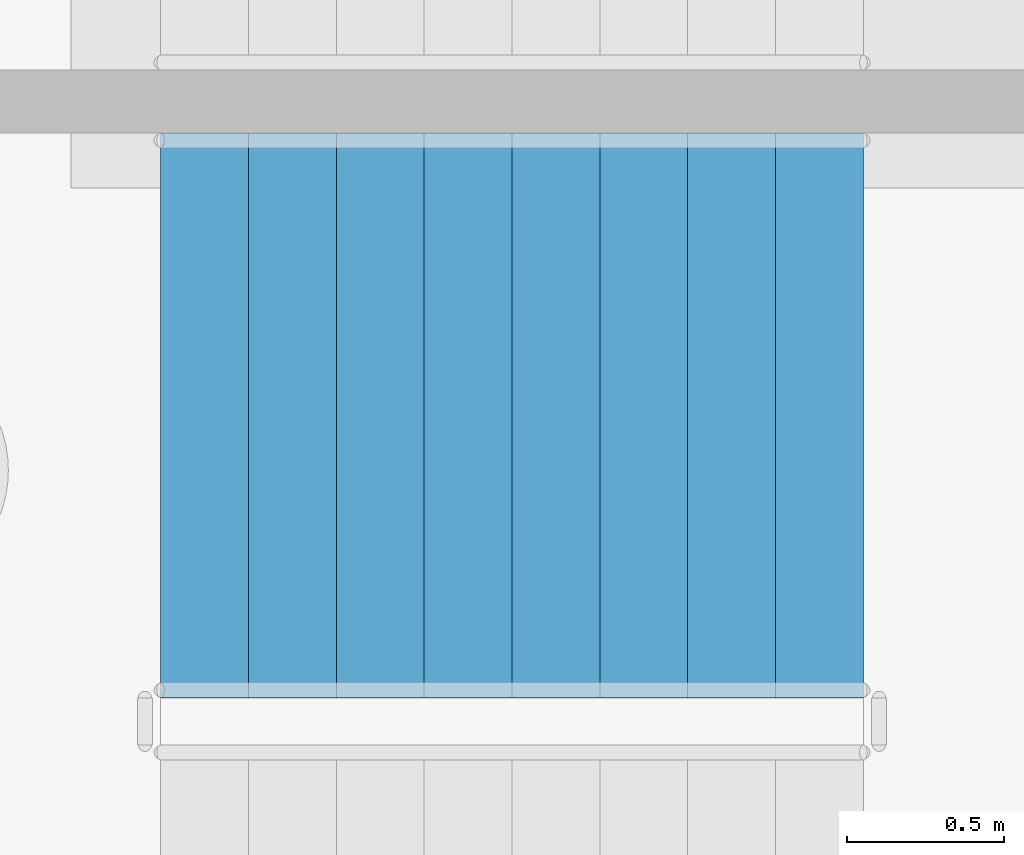
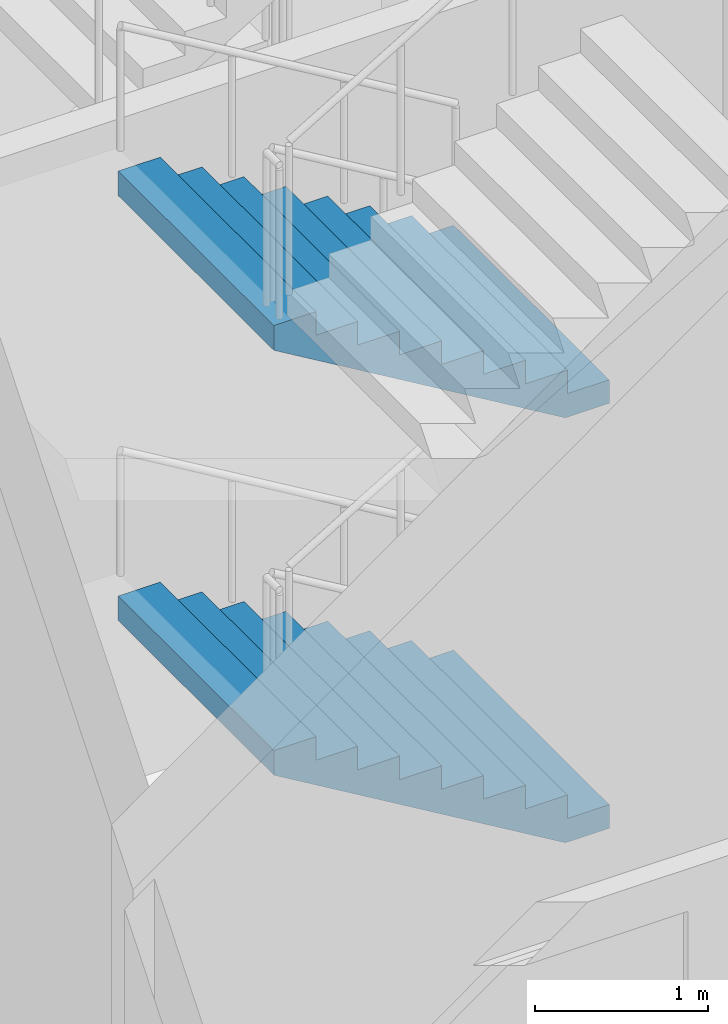
# One storey, part 16 of 39: 2 stair flights, 1 element without a shape of its own.
"""IFC4 building model written with IfcOpenShell, lengths in metres."""

from ifc_helpers import new_model, si_unit, direction, frame, origin, place, context, subcontext, project, spatial, triangles, material, type_object, element, aggregate, save


model = new_model("IFC4")

# Units and contexts
model_context = context("Model", 3, precision=1e-05, world=origin(), true_north=direction((0.0, 1.0)))
body_context = subcontext(model_context, "Body", "Model", "MODEL_VIEW")
ifc_project = project(units=[si_unit("LENGTHUNIT", "METRE"), si_unit("AREAUNIT", "SQUARE_METRE"), si_unit("VOLUMEUNIT", "CUBIC_METRE"), si_unit("PLANEANGLEUNIT", "RADIAN"), si_unit("MASSUNIT", "GRAM", prefix="KILO")], contexts=[model_context])

# Site, building, storey
site_placement = place(None, origin())
site = spatial("IfcSite", under=ifc_project, at=site_placement, CompositionType="ELEMENT")
building_placement = place(site_placement, origin())
building = spatial("IfcBuilding", under=site, at=building_placement, Name="Magnolia Steps Interchange", CompositionType="ELEMENT")
storey_placement = place(building_placement, frame((0.0, 0.0, -11.39990234375)))
storey = spatial("IfcBuildingStorey", under=building, at=storey_placement, Name="B2", CompositionType="ELEMENT", Elevation=-11.39990234375)

# Stair, stair flights
ifc_material_1 = material(Name="Concrete C40", Category="concrete")
stair_type = type_object("IfcStairType", Name="Exit stair 1800", PredefinedType="HALF_TURN_STAIR", material=ifc_material_1)
stair_placement = place(storey_placement, origin())
stair = element("IfcStair", 1, at=stair_placement, inside=storey, type_object=stair_type, Name="B2 Stair 9", PredefinedType="HALF_TURN_STAIR")
ifc_material_2 = material(Name="Concrete C40", Category="concrete")
stair_flight_type = type_object("IfcStairFlightType", Name="Exit stair flight", PredefinedType="STRAIGHT", material=ifc_material_2)
stair_flight_1_placement = place(storey_placement, frame((57.52490234375, 62.97509765625, 0.0), z_axis=(0.0, 0.0, 1.0), x_axis=(-1.0, 0.0, 0.0)))
stair_flight_1 = element("IfcStairFlight", 2, at=stair_flight_1_placement, type_object=stair_flight_type, Name="Stair 9 flight 1", NumberOfRisers=9, NumberOfTreads=8, PredefinedType="STRAIGHT", RiserHeight=0.166666667, TreadLength=0.28, context=body_context, shape_type="Tessellation", body=[
    triangles([(0.0, -0.9000244140625, 0.0), (0.29296875, -0.9000244140625, 0.0), (2.239990234375, -0.9000244140625, 1.158935546875), (2.239990234375, -0.9000244140625, 1.333251953125), (1.9599609375, -0.9000244140625, 1.333251953125), (1.9599609375, -0.9000244140625, 1.166748046875), (1.679931640625, -0.9000244140625, 1.166748046875), (1.679931640625, -0.9000244140625, 1.0), (1.39990234375, -0.9000244140625, 1.0), (1.39990234375, -0.9000244140625, 0.833251953125), (1.1201171875, -0.9000244140625, 0.833251953125), (1.1201171875, -0.9000244140625, 0.666748046875), (0.840087890625, -0.9000244140625, 0.666748046875), (0.840087890625, -0.9000244140625, 0.5), (0.56005859375, -0.9000244140625, 0.5), (0.56005859375, -0.9000244140625, 0.333251953125), (0.280029296875, -0.9000244140625, 0.333251953125), (0.280029296875, -0.9000244140625, 0.166748046875), (0.0, -0.9000244140625, 0.166748046875), (0.0, 0.9000244140625, 0.0), (0.29296875, 0.9000244140625, 0.0), (2.239990234375, 0.9000244140625, 1.158935546875), (2.239990234375, 0.9000244140625, 1.333251953125), (1.9599609375, 0.9000244140625, 1.333251953125), (1.9599609375, 0.9000244140625, 1.166748046875), (1.679931640625, 0.9000244140625, 1.166748046875), (1.679931640625, 0.9000244140625, 1.0), (1.39990234375, 0.9000244140625, 1.0), (1.39990234375, 0.9000244140625, 0.833251953125), (1.1201171875, 0.9000244140625, 0.833251953125), (1.1201171875, 0.9000244140625, 0.666748046875), (0.840087890625, 0.9000244140625, 0.666748046875), (0.840087890625, 0.9000244140625, 0.5), (0.56005859375, 0.9000244140625, 0.5), (0.56005859375, 0.9000244140625, 0.333251953125), (0.280029296875, 0.9000244140625, 0.333251953125), (0.280029296875, 0.9000244140625, 0.166748046875), (0.0, 0.9000244140625, 0.166748046875), (0.0, 0.0, 0.0), (0.0, 0.0, 0.04168701171875), (0.0, 0.0, 0.0833740234375), (0.0, 0.0, 0.12506103515625), (0.0, 0.0, 0.166748046875), (0.0, -0.05, 0.0), (0.0, -0.05, 0.166748046875), (0.0, 0.05, 0.0), (0.0, 0.05, 0.166748046875), (0.046671549479166664, 0.0, 0.166748046875), (0.09334309895833333, 0.0, 0.166748046875), (0.1400146484375, 0.0, 0.166748046875), (0.18668619791666666, 0.0, 0.166748046875), (0.23335774739583334, 0.0, 0.166748046875), (0.280029296875, 0.0, 0.166748046875), (0.280029296875, -0.05, 0.166748046875), (0.280029296875, 0.05, 0.166748046875), (0.280029296875, 0.0, 0.2083740234375), (0.280029296875, 0.0, 0.25), (0.280029296875, 0.0, 0.2916259765625), (0.280029296875, 0.0, 0.333251953125), (0.280029296875, -0.05, 0.333251953125), (0.280029296875, 0.05, 0.333251953125), (0.3267008463541667, 0.0, 0.333251953125), (0.3733723958333333, 0.0, 0.333251953125), (0.4200439453125, 0.0, 0.333251953125), (0.46671549479166663, 0.0, 0.333251953125), (0.5133870442708334, 0.0, 0.333251953125), (0.56005859375, 0.0, 0.333251953125), (0.56005859375, -0.05, 0.333251953125), (0.56005859375, 0.05, 0.333251953125), (0.56005859375, 0.0, 0.37493896484375), (0.56005859375, 0.0, 0.4166259765625), (0.56005859375, 0.0, 0.45831298828125), (0.56005859375, 0.0, 0.5), (0.56005859375, -0.05, 0.5), (0.56005859375, 0.05, 0.5), (0.6067301432291666, 0.0, 0.5), (0.6534016927083334, 0.0, 0.5), (0.7000732421875, 0.0, 0.5), (0.7467447916666666, 0.0, 0.5), (0.7934163411458334, 0.0, 0.5), (0.840087890625, 0.0, 0.5), (0.840087890625, -0.05, 0.5), (0.840087890625, 0.05, 0.5), (0.840087890625, 0.0, 0.54168701171875), (0.840087890625, 0.0, 0.5833740234375), (0.840087890625, 0.0, 0.62506103515625), (0.840087890625, 0.0, 0.666748046875), (0.840087890625, -0.05, 0.666748046875), (0.840087890625, 0.05, 0.666748046875), (0.8867594401041666, 0.0, 0.666748046875), (0.9334309895833334, 0.0, 0.666748046875), (0.9801025390625, 0.0, 0.666748046875), (1.0267740885416667, 0.0, 0.666748046875), (1.0734456380208333, 0.0, 0.666748046875), (1.1201171875, 0.0, 0.666748046875), (1.1201171875, -0.05, 0.666748046875), (1.1201171875, 0.05, 0.666748046875), (1.1201171875, 0.0, 0.7083740234375), (1.1201171875, 0.0, 0.75), (1.1201171875, 0.0, 0.7916259765625), (1.1201171875, 0.0, 0.833251953125), (1.1201171875, -0.05, 0.833251953125), (1.1201171875, 0.05, 0.833251953125), (1.1900634765625, 0.0, 0.833251953125), (1.260009765625, 0.0, 0.833251953125), (1.3299560546875, 0.0, 0.833251953125), (1.39990234375, 0.0, 0.833251953125), (1.39990234375, -0.05, 0.833251953125), (1.39990234375, 0.05, 0.833251953125), (1.39990234375, 0.0, 0.87493896484375), (1.39990234375, 0.0, 0.9166259765625), (1.39990234375, 0.0, 0.95831298828125), (1.39990234375, 0.0, 1.0), (1.39990234375, -0.05, 1.0), (1.39990234375, 0.05, 1.0), (1.4465738932291667, 0.0, 1.0), (1.4932454427083333, 0.0, 1.0), (1.5399169921875, 0.0, 1.0), (1.5865885416666667, 0.0, 1.0), (1.6332600911458333, 0.0, 1.0), (1.679931640625, 0.0, 1.0), (1.679931640625, -0.05, 1.0), (1.679931640625, 0.05, 1.0), (1.679931640625, 0.0, 1.04168701171875), (1.679931640625, 0.0, 1.0833740234375), (1.679931640625, 0.0, 1.12506103515625), (1.679931640625, 0.0, 1.166748046875), (1.679931640625, -0.05, 1.166748046875), (1.679931640625, 0.05, 1.166748046875), (1.7266031901041667, 0.0, 1.166748046875), (1.7732747395833333, 0.0, 1.166748046875), (1.8199462890625, 0.0, 1.166748046875), (1.8666178385416667, 0.0, 1.166748046875), (1.9132893880208333, 0.0, 1.166748046875), (1.9599609375, 0.0, 1.166748046875), (1.9599609375, -0.05, 1.166748046875), (1.9599609375, 0.05, 1.166748046875), (1.9599609375, 0.0, 1.2083740234375), (1.9599609375, 0.0, 1.25), (1.9599609375, 0.0, 1.2916259765625), (1.9599609375, 0.0, 1.333251953125), (1.9599609375, -0.05, 1.333251953125), (1.9599609375, 0.05, 1.333251953125), (2.0066324869791665, 0.0, 1.333251953125), (2.0533040364583335, 0.0, 1.333251953125), (2.0999755859375, 0.0, 1.333251953125), (2.1466471354166665, 0.0, 1.333251953125), (2.1933186848958335, 0.0, 1.333251953125), (2.239990234375, 0.0, 1.333251953125), (2.239990234375, -0.05, 1.333251953125), (2.239990234375, 0.05, 1.333251953125), (2.239990234375, 0.0, 1.2896728515625), (2.239990234375, 0.0, 1.24609375), (2.239990234375, 0.0, 1.2025146484375), (2.239990234375, 0.0, 1.158935546875), (2.239990234375, -0.05, 1.158935546875), (2.239990234375, 0.05, 1.158935546875), (2.1827248965992645, 0.0, 1.1248492072610294), (2.1254595588235294, 0.0, 1.0907628676470589), (2.068194221047794, 0.0, 1.0566765280330883), (2.010928883272059, 0.0, 1.0225901884191178), (1.9536635454963236, 0.0, 0.9885038488051471), (1.8963982077205883, 0.0, 0.9544175091911764), (1.8391328699448528, 0.0, 0.9203311695772058), (1.7818675321691178, 0.0, 0.8862448299632353), (1.7246021943933822, 0.0, 0.8521584903492647), (1.6673368566176472, 0.0, 0.8180721507352942), (1.6100715188419117, 0.0, 0.7839858111213236), (1.5528061810661766, 0.0, 0.7498994715073529), (1.4955408432904411, 0.0, 0.7158131318933824), (1.4382755055147058, 0.0, 0.6817267922794117), (1.3810101677389706, 0.0, 0.6476404526654411), (1.3237448299632353, 0.0, 0.6135541130514706), (1.2664794921875, 0.0, 0.5794677734375), (1.2092141544117647, 0.0, 0.5453814338235294), (1.1519488166360294, 0.0, 0.5112950942095589), (1.0946834788602942, 0.0, 0.4772087545955882), (1.0374181410845589, 0.0, 0.44312241498161764), (0.9801528033088236, 0.0, 0.4090360753676471), (0.9228874655330883, 0.0, 0.3749497357536765), (0.865622127757353, 0.0, 0.34086339613970584), (0.8083567899816178, 0.0, 0.3067770565257353), (0.7510914522058822, 0.0, 0.2726907169117647), (0.693826114430147, 0.0, 0.23860437729779416), (0.6365607766544117, 0.0, 0.20451803768382348), (0.5792954388786764, 0.0, 0.17043169806985292), (0.5220301011029411, 0.0, 0.13634535845588225), (0.46476476332720584, 0.0, 0.10225901884191169), (0.40749942555147056, 0.0, 0.06817267922794112), (0.3502340877757353, 0.0, 0.03408633961397056), (0.29296875, 0.0, 0.0), (0.29296875, -0.05, 0.0), (0.29296875, 0.05, 0.0), (0.244140625, 0.0, 0.0), (0.1953125, 0.0, 0.0), (0.146484375, 0.0, 0.0), (0.09765625, 0.0, 0.0), (0.048828125, 0.0, 0.0)], [[1, 2, 3], [3, 4, 5], [3, 5, 6], [3, 6, 7], [3, 7, 8], [8, 9, 10], [3, 8, 10], [10, 11, 12], [3, 10, 12], [12, 13, 14], [3, 12, 14], [14, 15, 16], [3, 14, 16], [1, 3, 16], [16, 17, 18], [1, 16, 18], [18, 19, 1], [20, 22, 21], [22, 24, 23], [22, 25, 24], [22, 26, 25], [22, 27, 26], [27, 29, 28], [22, 29, 27], [29, 31, 30], [22, 31, 29], [31, 33, 32], [22, 33, 31], [33, 35, 34], [22, 35, 33], [20, 35, 22], [35, 37, 36], [20, 37, 35], [37, 20, 38], [1, 19, 45], [1, 45, 44], [44, 40, 39], [44, 41, 40], [44, 45, 41], [45, 42, 41], [45, 43, 42], [20, 47, 38], [20, 46, 47], [46, 39, 40], [46, 40, 41], [46, 41, 47], [47, 41, 42], [47, 42, 43], [19, 18, 54], [19, 54, 45], [45, 48, 43], [45, 49, 48], [45, 50, 49], [45, 54, 50], [54, 51, 50], [54, 52, 51], [54, 53, 52], [38, 55, 37], [38, 47, 55], [47, 43, 48], [47, 48, 49], [47, 49, 50], [47, 50, 55], [55, 50, 51], [55, 51, 52], [55, 52, 53], [18, 17, 60], [18, 60, 54], [54, 56, 53], [54, 57, 56], [54, 60, 57], [60, 58, 57], [60, 59, 58], [37, 61, 36], [37, 55, 61], [55, 53, 56], [55, 56, 57], [55, 57, 61], [61, 57, 58], [61, 58, 59], [17, 16, 68], [17, 68, 60], [60, 62, 59], [60, 63, 62], [60, 64, 63], [60, 68, 64], [68, 65, 64], [68, 66, 65], [68, 67, 66], [36, 69, 35], [36, 61, 69], [61, 59, 62], [61, 62, 63], [61, 63, 64], [61, 64, 69], [69, 64, 65], [69, 65, 66], [69, 66, 67], [16, 15, 74], [16, 74, 68], [68, 70, 67], [68, 71, 70], [68, 74, 71], [74, 72, 71], [74, 73, 72], [35, 75, 34], [35, 69, 75], [69, 67, 70], [69, 70, 71], [69, 71, 75], [75, 71, 72], [75, 72, 73], [15, 14, 82], [15, 82, 74], [74, 76, 73], [74, 77, 76], [74, 78, 77], [74, 82, 78], [82, 79, 78], [82, 80, 79], [82, 81, 80], [34, 83, 33], [34, 75, 83], [75, 73, 76], [75, 76, 77], [75, 77, 78], [75, 78, 83], [83, 78, 79], [83, 79, 80], [83, 80, 81], [14, 13, 88], [14, 88, 82], [82, 84, 81], [82, 85, 84], [82, 88, 85], [88, 86, 85], [88, 87, 86], [33, 89, 32], [33, 83, 89], [83, 81, 84], [83, 84, 85], [83, 85, 89], [89, 85, 86], [89, 86, 87], [13, 12, 96], [13, 96, 88], [88, 90, 87], [88, 91, 90], [88, 92, 91], [88, 96, 92], [96, 93, 92], [96, 94, 93], [96, 95, 94], [32, 97, 31], [32, 89, 97], [89, 87, 90], [89, 90, 91], [89, 91, 92], [89, 92, 97], [97, 92, 93], [97, 93, 94], [97, 94, 95], [12, 11, 102], [12, 102, 96], [96, 98, 95], [96, 99, 98], [96, 102, 99], [102, 100, 99], [102, 101, 100], [31, 103, 30], [31, 97, 103], [97, 95, 98], [97, 98, 99], [97, 99, 103], [103, 99, 100], [103, 100, 101], [11, 10, 108], [11, 108, 102], [102, 104, 101], [102, 105, 104], [102, 108, 105], [108, 106, 105], [108, 107, 106], [30, 109, 29], [30, 103, 109], [103, 101, 104], [103, 104, 105], [103, 105, 109], [109, 105, 106], [109, 106, 107], [10, 9, 114], [10, 114, 108], [108, 110, 107], [108, 111, 110], [108, 114, 111], [114, 112, 111], [114, 113, 112], [29, 115, 28], [29, 109, 115], [109, 107, 110], [109, 110, 111], [109, 111, 115], [115, 111, 112], [115, 112, 113], [9, 8, 122], [9, 122, 114], [114, 116, 113], [114, 117, 116], [114, 118, 117], [114, 122, 118], [122, 119, 118], [122, 120, 119], [122, 121, 120], [28, 123, 27], [28, 115, 123], [115, 113, 116], [115, 116, 117], [115, 117, 118], [115, 118, 123], [123, 118, 119], [123, 119, 120], [123, 120, 121], [8, 7, 128], [8, 128, 122], [122, 124, 121], [122, 125, 124], [122, 128, 125], [128, 126, 125], [128, 127, 126], [27, 129, 26], [27, 123, 129], [123, 121, 124], [123, 124, 125], [123, 125, 129], [129, 125, 126], [129, 126, 127], [7, 6, 136], [7, 136, 128], [128, 130, 127], [128, 131, 130], [128, 132, 131], [128, 136, 132], [136, 133, 132], [136, 134, 133], [136, 135, 134], [26, 137, 25], [26, 129, 137], [129, 127, 130], [129, 130, 131], [129, 131, 132], [129, 132, 137], [137, 132, 133], [137, 133, 134], [137, 134, 135], [6, 5, 142], [6, 142, 136], [136, 138, 135], [136, 139, 138], [136, 142, 139], [142, 140, 139], [142, 141, 140], [25, 143, 24], [25, 137, 143], [137, 135, 138], [137, 138, 139], [137, 139, 143], [143, 139, 140], [143, 140, 141], [5, 4, 150], [5, 150, 142], [142, 144, 141], [142, 145, 144], [142, 146, 145], [142, 150, 146], [150, 147, 146], [150, 148, 147], [150, 149, 148], [24, 151, 23], [24, 143, 151], [143, 141, 144], [143, 144, 145], [143, 145, 146], [143, 146, 151], [151, 146, 147], [151, 147, 148], [151, 148, 149], [4, 3, 156], [4, 156, 150], [150, 152, 149], [150, 153, 152], [150, 156, 153], [156, 154, 153], [156, 155, 154], [23, 157, 22], [23, 151, 157], [151, 149, 152], [151, 152, 153], [151, 153, 157], [157, 153, 154], [157, 154, 155], [3, 2, 192], [3, 192, 156], [156, 158, 155], [156, 159, 158], [156, 160, 159], [156, 161, 160], [156, 162, 161], [156, 163, 162], [156, 164, 163], [156, 165, 164], [156, 166, 165], [156, 167, 166], [156, 168, 167], [156, 169, 168], [156, 170, 169], [156, 171, 170], [156, 172, 171], [156, 173, 172], [156, 174, 173], [156, 192, 174], [192, 175, 174], [192, 176, 175], [192, 177, 176], [192, 178, 177], [192, 179, 178], [192, 180, 179], [192, 181, 180], [192, 182, 181], [192, 183, 182], [192, 184, 183], [192, 185, 184], [192, 186, 185], [192, 187, 186], [192, 188, 187], [192, 189, 188], [192, 190, 189], [192, 191, 190], [22, 193, 21], [22, 157, 193], [157, 155, 158], [157, 158, 159], [157, 159, 160], [157, 160, 161], [157, 161, 162], [157, 162, 163], [157, 163, 164], [157, 164, 165], [157, 165, 166], [157, 166, 167], [157, 167, 168], [157, 168, 169], [157, 169, 170], [157, 170, 171], [157, 171, 172], [157, 172, 173], [157, 173, 174], [157, 174, 193], [193, 174, 175], [193, 175, 176], [193, 176, 177], [193, 177, 178], [193, 178, 179], [193, 179, 180], [193, 180, 181], [193, 181, 182], [193, 182, 183], [193, 183, 184], [193, 184, 185], [193, 185, 186], [193, 186, 187], [193, 187, 188], [193, 188, 189], [193, 189, 190], [193, 190, 191], [2, 1, 44], [2, 44, 192], [192, 194, 191], [192, 195, 194], [192, 196, 195], [192, 44, 196], [44, 197, 196], [44, 198, 197], [44, 39, 198], [21, 46, 20], [21, 193, 46], [193, 191, 194], [193, 194, 195], [193, 195, 196], [193, 196, 46], [46, 196, 197], [46, 197, 198], [46, 198, 39]], closed=True),
])
stair_flight_2_placement = place(storey_placement, frame((57.52490234375, 62.97509765625, 3.0), z_axis=(0.0, 0.0, 1.0), x_axis=(-1.0, 0.0, 0.0)))
stair_flight_2 = element("IfcStairFlight", 3, at=stair_flight_2_placement, type_object=stair_flight_type, Name="Stair 9 flight 3", NumberOfRisers=9, NumberOfTreads=8, PredefinedType="STRAIGHT", RiserHeight=0.166666667, TreadLength=0.28, context=body_context, shape_type="Tessellation", body=[
    triangles([(0.0, -0.9000244140625, 0.0), (0.29296875, -0.9000244140625, 0.0), (2.239990234375, -0.9000244140625, 1.158935546875), (2.239990234375, -0.9000244140625, 1.333251953125), (1.9599609375, -0.9000244140625, 1.333251953125), (1.9599609375, -0.9000244140625, 1.166748046875), (1.679931640625, -0.9000244140625, 1.166748046875), (1.679931640625, -0.9000244140625, 1.0), (1.39990234375, -0.9000244140625, 1.0), (1.39990234375, -0.9000244140625, 0.833251953125), (1.1201171875, -0.9000244140625, 0.833251953125), (1.1201171875, -0.9000244140625, 0.666748046875), (0.840087890625, -0.9000244140625, 0.666748046875), (0.840087890625, -0.9000244140625, 0.5), (0.56005859375, -0.9000244140625, 0.5), (0.56005859375, -0.9000244140625, 0.333251953125), (0.280029296875, -0.9000244140625, 0.333251953125), (0.280029296875, -0.9000244140625, 0.166748046875), (0.0, -0.9000244140625, 0.166748046875), (0.0, 0.9000244140625, 0.0), (0.29296875, 0.9000244140625, 0.0), (2.239990234375, 0.9000244140625, 1.158935546875), (2.239990234375, 0.9000244140625, 1.333251953125), (1.9599609375, 0.9000244140625, 1.333251953125), (1.9599609375, 0.9000244140625, 1.166748046875), (1.679931640625, 0.9000244140625, 1.166748046875), (1.679931640625, 0.9000244140625, 1.0), (1.39990234375, 0.9000244140625, 1.0), (1.39990234375, 0.9000244140625, 0.833251953125), (1.1201171875, 0.9000244140625, 0.833251953125), (1.1201171875, 0.9000244140625, 0.666748046875), (0.840087890625, 0.9000244140625, 0.666748046875), (0.840087890625, 0.9000244140625, 0.5), (0.56005859375, 0.9000244140625, 0.5), (0.56005859375, 0.9000244140625, 0.333251953125), (0.280029296875, 0.9000244140625, 0.333251953125), (0.280029296875, 0.9000244140625, 0.166748046875), (0.0, 0.9000244140625, 0.166748046875), (0.0, 0.0, 0.0), (0.0, 0.0, 0.04168701171875), (0.0, 0.0, 0.0833740234375), (0.0, 0.0, 0.12506103515625), (0.0, 0.0, 0.166748046875), (0.0, -0.05, 0.0), (0.0, -0.05, 0.166748046875), (0.0, 0.05, 0.0), (0.0, 0.05, 0.166748046875), (0.046671549479166664, 0.0, 0.166748046875), (0.09334309895833333, 0.0, 0.166748046875), (0.1400146484375, 0.0, 0.166748046875), (0.18668619791666666, 0.0, 0.166748046875), (0.23335774739583334, 0.0, 0.166748046875), (0.280029296875, 0.0, 0.166748046875), (0.280029296875, -0.05, 0.166748046875), (0.280029296875, 0.05, 0.166748046875), (0.280029296875, 0.0, 0.2083740234375), (0.280029296875, 0.0, 0.25), (0.280029296875, 0.0, 0.2916259765625), (0.280029296875, 0.0, 0.333251953125), (0.280029296875, -0.05, 0.333251953125), (0.280029296875, 0.05, 0.333251953125), (0.3267008463541667, 0.0, 0.333251953125), (0.3733723958333333, 0.0, 0.333251953125), (0.4200439453125, 0.0, 0.333251953125), (0.46671549479166663, 0.0, 0.333251953125), (0.5133870442708334, 0.0, 0.333251953125), (0.56005859375, 0.0, 0.333251953125), (0.56005859375, -0.05, 0.333251953125), (0.56005859375, 0.05, 0.333251953125), (0.56005859375, 0.0, 0.37493896484375), (0.56005859375, 0.0, 0.4166259765625), (0.56005859375, 0.0, 0.45831298828125), (0.56005859375, 0.0, 0.5), (0.56005859375, -0.05, 0.5), (0.56005859375, 0.05, 0.5), (0.6067301432291666, 0.0, 0.5), (0.6534016927083334, 0.0, 0.5), (0.7000732421875, 0.0, 0.5), (0.7467447916666666, 0.0, 0.5), (0.7934163411458334, 0.0, 0.5), (0.840087890625, 0.0, 0.5), (0.840087890625, -0.05, 0.5), (0.840087890625, 0.05, 0.5), (0.840087890625, 0.0, 0.54168701171875), (0.840087890625, 0.0, 0.5833740234375), (0.840087890625, 0.0, 0.62506103515625), (0.840087890625, 0.0, 0.666748046875), (0.840087890625, -0.05, 0.666748046875), (0.840087890625, 0.05, 0.666748046875), (0.8867594401041666, 0.0, 0.666748046875), (0.9334309895833334, 0.0, 0.666748046875), (0.9801025390625, 0.0, 0.666748046875), (1.0267740885416667, 0.0, 0.666748046875), (1.0734456380208333, 0.0, 0.666748046875), (1.1201171875, 0.0, 0.666748046875), (1.1201171875, -0.05, 0.666748046875), (1.1201171875, 0.05, 0.666748046875), (1.1201171875, 0.0, 0.7083740234375), (1.1201171875, 0.0, 0.75), (1.1201171875, 0.0, 0.7916259765625), (1.1201171875, 0.0, 0.833251953125), (1.1201171875, -0.05, 0.833251953125), (1.1201171875, 0.05, 0.833251953125), (1.1900634765625, 0.0, 0.833251953125), (1.260009765625, 0.0, 0.833251953125), (1.3299560546875, 0.0, 0.833251953125), (1.39990234375, 0.0, 0.833251953125), (1.39990234375, -0.05, 0.833251953125), (1.39990234375, 0.05, 0.833251953125), (1.39990234375, 0.0, 0.87493896484375), (1.39990234375, 0.0, 0.9166259765625), (1.39990234375, 0.0, 0.95831298828125), (1.39990234375, 0.0, 1.0), (1.39990234375, -0.05, 1.0), (1.39990234375, 0.05, 1.0), (1.4465738932291667, 0.0, 1.0), (1.4932454427083333, 0.0, 1.0), (1.5399169921875, 0.0, 1.0), (1.5865885416666667, 0.0, 1.0), (1.6332600911458333, 0.0, 1.0), (1.679931640625, 0.0, 1.0), (1.679931640625, -0.05, 1.0), (1.679931640625, 0.05, 1.0), (1.679931640625, 0.0, 1.04168701171875), (1.679931640625, 0.0, 1.0833740234375), (1.679931640625, 0.0, 1.12506103515625), (1.679931640625, 0.0, 1.166748046875), (1.679931640625, -0.05, 1.166748046875), (1.679931640625, 0.05, 1.166748046875), (1.7266031901041667, 0.0, 1.166748046875), (1.7732747395833333, 0.0, 1.166748046875), (1.8199462890625, 0.0, 1.166748046875), (1.8666178385416667, 0.0, 1.166748046875), (1.9132893880208333, 0.0, 1.166748046875), (1.9599609375, 0.0, 1.166748046875), (1.9599609375, -0.05, 1.166748046875), (1.9599609375, 0.05, 1.166748046875), (1.9599609375, 0.0, 1.2083740234375), (1.9599609375, 0.0, 1.25), (1.9599609375, 0.0, 1.2916259765625), (1.9599609375, 0.0, 1.333251953125), (1.9599609375, -0.05, 1.333251953125), (1.9599609375, 0.05, 1.333251953125), (2.0066324869791665, 0.0, 1.333251953125), (2.0533040364583335, 0.0, 1.333251953125), (2.0999755859375, 0.0, 1.333251953125), (2.1466471354166665, 0.0, 1.333251953125), (2.1933186848958335, 0.0, 1.333251953125), (2.239990234375, 0.0, 1.333251953125), (2.239990234375, -0.05, 1.333251953125), (2.239990234375, 0.05, 1.333251953125), (2.239990234375, 0.0, 1.2896728515625), (2.239990234375, 0.0, 1.24609375), (2.239990234375, 0.0, 1.2025146484375), (2.239990234375, 0.0, 1.158935546875), (2.239990234375, -0.05, 1.158935546875), (2.239990234375, 0.05, 1.158935546875), (2.1827248965992645, 0.0, 1.1248492072610294), (2.1254595588235294, 0.0, 1.0907628676470589), (2.068194221047794, 0.0, 1.0566765280330883), (2.010928883272059, 0.0, 1.0225901884191178), (1.9536635454963236, 0.0, 0.9885038488051471), (1.8963982077205883, 0.0, 0.9544175091911764), (1.8391328699448528, 0.0, 0.9203311695772058), (1.7818675321691178, 0.0, 0.8862448299632353), (1.7246021943933822, 0.0, 0.8521584903492647), (1.6673368566176472, 0.0, 0.8180721507352942), (1.6100715188419117, 0.0, 0.7839858111213236), (1.5528061810661766, 0.0, 0.7498994715073529), (1.4955408432904411, 0.0, 0.7158131318933824), (1.4382755055147058, 0.0, 0.6817267922794117), (1.3810101677389706, 0.0, 0.6476404526654411), (1.3237448299632353, 0.0, 0.6135541130514706), (1.2664794921875, 0.0, 0.5794677734375), (1.2092141544117647, 0.0, 0.5453814338235294), (1.1519488166360294, 0.0, 0.5112950942095589), (1.0946834788602942, 0.0, 0.4772087545955882), (1.0374181410845589, 0.0, 0.44312241498161764), (0.9801528033088236, 0.0, 0.4090360753676471), (0.9228874655330883, 0.0, 0.3749497357536765), (0.865622127757353, 0.0, 0.34086339613970584), (0.8083567899816178, 0.0, 0.3067770565257353), (0.7510914522058822, 0.0, 0.2726907169117647), (0.693826114430147, 0.0, 0.23860437729779416), (0.6365607766544117, 0.0, 0.20451803768382348), (0.5792954388786764, 0.0, 0.17043169806985292), (0.5220301011029411, 0.0, 0.13634535845588225), (0.46476476332720584, 0.0, 0.10225901884191169), (0.40749942555147056, 0.0, 0.06817267922794112), (0.3502340877757353, 0.0, 0.03408633961397056), (0.29296875, 0.0, 0.0), (0.29296875, -0.05, 0.0), (0.29296875, 0.05, 0.0), (0.244140625, 0.0, 0.0), (0.1953125, 0.0, 0.0), (0.146484375, 0.0, 0.0), (0.09765625, 0.0, 0.0), (0.048828125, 0.0, 0.0)], [[1, 2, 3], [3, 4, 5], [3, 5, 6], [3, 6, 7], [3, 7, 8], [8, 9, 10], [3, 8, 10], [10, 11, 12], [3, 10, 12], [12, 13, 14], [3, 12, 14], [14, 15, 16], [3, 14, 16], [1, 3, 16], [16, 17, 18], [1, 16, 18], [18, 19, 1], [20, 22, 21], [22, 24, 23], [22, 25, 24], [22, 26, 25], [22, 27, 26], [27, 29, 28], [22, 29, 27], [29, 31, 30], [22, 31, 29], [31, 33, 32], [22, 33, 31], [33, 35, 34], [22, 35, 33], [20, 35, 22], [35, 37, 36], [20, 37, 35], [37, 20, 38], [1, 19, 45], [1, 45, 44], [44, 40, 39], [44, 41, 40], [44, 45, 41], [45, 42, 41], [45, 43, 42], [20, 47, 38], [20, 46, 47], [46, 39, 40], [46, 40, 41], [46, 41, 47], [47, 41, 42], [47, 42, 43], [19, 18, 54], [19, 54, 45], [45, 48, 43], [45, 49, 48], [45, 50, 49], [45, 54, 50], [54, 51, 50], [54, 52, 51], [54, 53, 52], [38, 55, 37], [38, 47, 55], [47, 43, 48], [47, 48, 49], [47, 49, 50], [47, 50, 55], [55, 50, 51], [55, 51, 52], [55, 52, 53], [18, 17, 60], [18, 60, 54], [54, 56, 53], [54, 57, 56], [54, 60, 57], [60, 58, 57], [60, 59, 58], [37, 61, 36], [37, 55, 61], [55, 53, 56], [55, 56, 57], [55, 57, 61], [61, 57, 58], [61, 58, 59], [17, 16, 68], [17, 68, 60], [60, 62, 59], [60, 63, 62], [60, 64, 63], [60, 68, 64], [68, 65, 64], [68, 66, 65], [68, 67, 66], [36, 69, 35], [36, 61, 69], [61, 59, 62], [61, 62, 63], [61, 63, 64], [61, 64, 69], [69, 64, 65], [69, 65, 66], [69, 66, 67], [16, 15, 74], [16, 74, 68], [68, 70, 67], [68, 71, 70], [68, 74, 71], [74, 72, 71], [74, 73, 72], [35, 75, 34], [35, 69, 75], [69, 67, 70], [69, 70, 71], [69, 71, 75], [75, 71, 72], [75, 72, 73], [15, 14, 82], [15, 82, 74], [74, 76, 73], [74, 77, 76], [74, 78, 77], [74, 82, 78], [82, 79, 78], [82, 80, 79], [82, 81, 80], [34, 83, 33], [34, 75, 83], [75, 73, 76], [75, 76, 77], [75, 77, 78], [75, 78, 83], [83, 78, 79], [83, 79, 80], [83, 80, 81], [14, 13, 88], [14, 88, 82], [82, 84, 81], [82, 85, 84], [82, 88, 85], [88, 86, 85], [88, 87, 86], [33, 89, 32], [33, 83, 89], [83, 81, 84], [83, 84, 85], [83, 85, 89], [89, 85, 86], [89, 86, 87], [13, 12, 96], [13, 96, 88], [88, 90, 87], [88, 91, 90], [88, 92, 91], [88, 96, 92], [96, 93, 92], [96, 94, 93], [96, 95, 94], [32, 97, 31], [32, 89, 97], [89, 87, 90], [89, 90, 91], [89, 91, 92], [89, 92, 97], [97, 92, 93], [97, 93, 94], [97, 94, 95], [12, 11, 102], [12, 102, 96], [96, 98, 95], [96, 99, 98], [96, 102, 99], [102, 100, 99], [102, 101, 100], [31, 103, 30], [31, 97, 103], [97, 95, 98], [97, 98, 99], [97, 99, 103], [103, 99, 100], [103, 100, 101], [11, 10, 108], [11, 108, 102], [102, 104, 101], [102, 105, 104], [102, 108, 105], [108, 106, 105], [108, 107, 106], [30, 109, 29], [30, 103, 109], [103, 101, 104], [103, 104, 105], [103, 105, 109], [109, 105, 106], [109, 106, 107], [10, 9, 114], [10, 114, 108], [108, 110, 107], [108, 111, 110], [108, 114, 111], [114, 112, 111], [114, 113, 112], [29, 115, 28], [29, 109, 115], [109, 107, 110], [109, 110, 111], [109, 111, 115], [115, 111, 112], [115, 112, 113], [9, 8, 122], [9, 122, 114], [114, 116, 113], [114, 117, 116], [114, 118, 117], [114, 122, 118], [122, 119, 118], [122, 120, 119], [122, 121, 120], [28, 123, 27], [28, 115, 123], [115, 113, 116], [115, 116, 117], [115, 117, 118], [115, 118, 123], [123, 118, 119], [123, 119, 120], [123, 120, 121], [8, 7, 128], [8, 128, 122], [122, 124, 121], [122, 125, 124], [122, 128, 125], [128, 126, 125], [128, 127, 126], [27, 129, 26], [27, 123, 129], [123, 121, 124], [123, 124, 125], [123, 125, 129], [129, 125, 126], [129, 126, 127], [7, 6, 136], [7, 136, 128], [128, 130, 127], [128, 131, 130], [128, 132, 131], [128, 136, 132], [136, 133, 132], [136, 134, 133], [136, 135, 134], [26, 137, 25], [26, 129, 137], [129, 127, 130], [129, 130, 131], [129, 131, 132], [129, 132, 137], [137, 132, 133], [137, 133, 134], [137, 134, 135], [6, 5, 142], [6, 142, 136], [136, 138, 135], [136, 139, 138], [136, 142, 139], [142, 140, 139], [142, 141, 140], [25, 143, 24], [25, 137, 143], [137, 135, 138], [137, 138, 139], [137, 139, 143], [143, 139, 140], [143, 140, 141], [5, 4, 150], [5, 150, 142], [142, 144, 141], [142, 145, 144], [142, 146, 145], [142, 150, 146], [150, 147, 146], [150, 148, 147], [150, 149, 148], [24, 151, 23], [24, 143, 151], [143, 141, 144], [143, 144, 145], [143, 145, 146], [143, 146, 151], [151, 146, 147], [151, 147, 148], [151, 148, 149], [4, 3, 156], [4, 156, 150], [150, 152, 149], [150, 153, 152], [150, 156, 153], [156, 154, 153], [156, 155, 154], [23, 157, 22], [23, 151, 157], [151, 149, 152], [151, 152, 153], [151, 153, 157], [157, 153, 154], [157, 154, 155], [3, 2, 192], [3, 192, 156], [156, 158, 155], [156, 159, 158], [156, 160, 159], [156, 161, 160], [156, 162, 161], [156, 163, 162], [156, 164, 163], [156, 165, 164], [156, 166, 165], [156, 167, 166], [156, 168, 167], [156, 169, 168], [156, 170, 169], [156, 171, 170], [156, 172, 171], [156, 173, 172], [156, 174, 173], [156, 192, 174], [192, 175, 174], [192, 176, 175], [192, 177, 176], [192, 178, 177], [192, 179, 178], [192, 180, 179], [192, 181, 180], [192, 182, 181], [192, 183, 182], [192, 184, 183], [192, 185, 184], [192, 186, 185], [192, 187, 186], [192, 188, 187], [192, 189, 188], [192, 190, 189], [192, 191, 190], [22, 193, 21], [22, 157, 193], [157, 155, 158], [157, 158, 159], [157, 159, 160], [157, 160, 161], [157, 161, 162], [157, 162, 163], [157, 163, 164], [157, 164, 165], [157, 165, 166], [157, 166, 167], [157, 167, 168], [157, 168, 169], [157, 169, 170], [157, 170, 171], [157, 171, 172], [157, 172, 173], [157, 173, 174], [157, 174, 193], [193, 174, 175], [193, 175, 176], [193, 176, 177], [193, 177, 178], [193, 178, 179], [193, 179, 180], [193, 180, 181], [193, 181, 182], [193, 182, 183], [193, 183, 184], [193, 184, 185], [193, 185, 186], [193, 186, 187], [193, 187, 188], [193, 188, 189], [193, 189, 190], [193, 190, 191], [2, 1, 44], [2, 44, 192], [192, 194, 191], [192, 195, 194], [192, 196, 195], [192, 44, 196], [44, 197, 196], [44, 198, 197], [44, 39, 198], [21, 46, 20], [21, 193, 46], [193, 191, 194], [193, 194, 195], [193, 195, 196], [193, 196, 46], [46, 196, 197], [46, 197, 198], [46, 198, 39]], closed=True),
])
aggregate(stair, [stair_flight_1, stair_flight_2])

save(model, "model.ifc")
